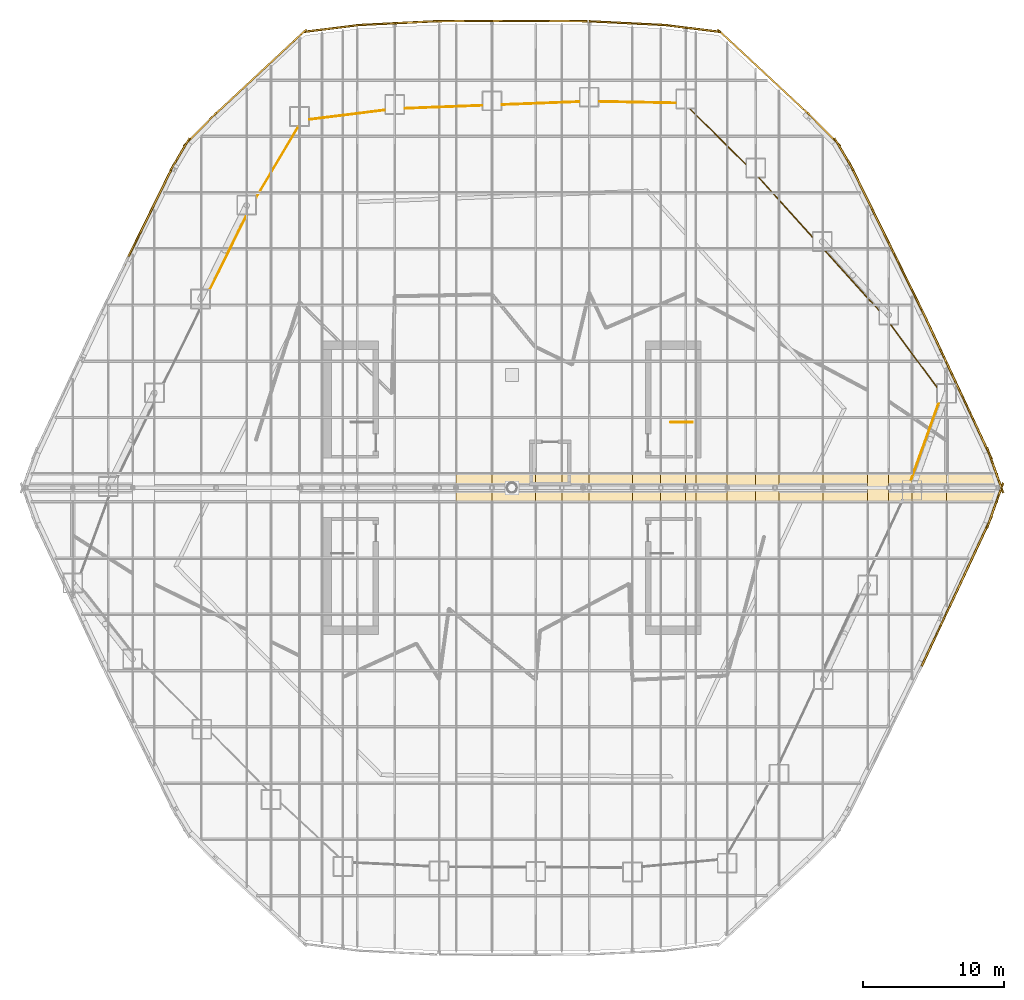
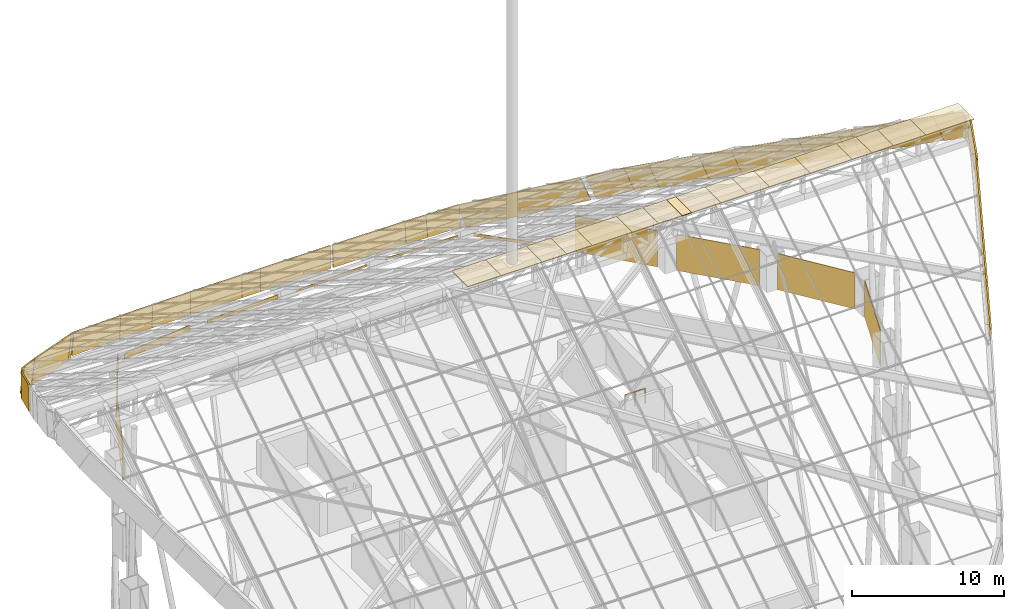
# One storey, part 38 of 38: 55 coverings, 1 railing.
"""IFC4 building model written with IfcOpenShell, lengths in metres."""

from ifc_helpers import new_model, si_unit, direction, frame, origin, origin_2d, place, context, subcontext, project, spatial, polyline, rectangle, circle, outline, extrude, material, layer, layer_set, material_profile, profile_set, type_object, element, save


model = new_model("IFC4")

# Units and contexts
model_context = context("Model", 3, precision=1e-05, world=origin(), true_north=direction((0.0, 1.0)))
body_context = subcontext(model_context, "Body", "Model", "MODEL_VIEW")
ifc_project = project(units=[si_unit("LENGTHUNIT", "METRE"), si_unit("AREAUNIT", "SQUARE_METRE"), si_unit("VOLUMEUNIT", "CUBIC_METRE"), si_unit("PLANEANGLEUNIT", "RADIAN"), si_unit("MASSUNIT", "GRAM", prefix="KILO")], contexts=[model_context])

# Site, building, storey
site_placement = place(None, origin())
site = spatial("IfcSite", under=ifc_project, at=site_placement, CompositionType="ELEMENT")
building_placement = place(site_placement, origin())
building = spatial("IfcBuilding", under=site, at=building_placement, Name="Dongbaek Canopy Tower", CompositionType="ELEMENT")
storey_placement = place(building_placement, frame((0.0, 0.0, 375.800048828125)))
storey = spatial("IfcBuildingStorey", under=building, at=storey_placement, Name="Roof", CompositionType="ELEMENT", Elevation=375.800048828125)

# Coverings
ifc_material_1 = material(Name="Perforated pale metal")
ifc_layer_1 = layer(ifc_material_1, 0.06005859375)
ifc_layer_set_1 = layer_set([ifc_layer_1], Name="Crown plant screen")
covering_type_1 = type_object("IfcCoveringType", Name="Crown plant screen", PredefinedType="CLADDING", material=ifc_layer_set_1)
covering_1_placement = place(storey_placement, origin())
element("IfcCovering", 1, at=covering_1_placement, inside=storey, type_object=covering_type_1, Name="Crown plant screen 13 Roof", PredefinedType="CLADDING", context=body_context, shape_type="SweptSolid", body=[
    extrude(outline(polyline([(28.314453125, 0.530029296875), (28.250732421875, 0.530029296875), (30.20458984375, 5.998046875), (30.268310546875, 5.998046875), (28.314453125, 0.530029296875)])), origin(), (0.0, 0.0, 1.0), 2.89990234375),
])
covering_2_placement = place(storey_placement, origin())
element("IfcCovering", 2, at=covering_2_placement, inside=storey, type_object=covering_type_1, Name="Crown plant screen 14 Roof", PredefinedType="CLADDING", context=body_context, shape_type="SweptSolid", body=[
    extrude(outline(polyline([(30.10498046875, 7.19189453125), (30.10498046875, 7.0908203125), (26.809326171875, 11.556884765625), (26.884033203125, 11.556884765625), (30.10498046875, 7.19189453125)])), origin(), (0.0, 0.0, 1.0), 2.89990234375),
])
covering_3_placement = place(storey_placement, origin())
element("IfcCovering", 3, at=covering_3_placement, inside=storey, type_object=covering_type_1, Name="Crown plant screen 15 Roof", PredefinedType="CLADDING", context=body_context, shape_type="SweptSolid", body=[
    extrude(outline(polyline([(26.0029296875, 12.627685546875), (26.0029296875, 12.538330078125), (22.1787109375, 16.761962890625), (22.259521484375, 16.761962890625), (26.0029296875, 12.627685546875)])), origin(), (0.0, 0.0, 1.0), 2.89990234375),
])
covering_4_placement = place(storey_placement, origin())
element("IfcCovering", 4, at=covering_4_placement, inside=storey, type_object=covering_type_1, Name="Crown plant screen 16 Roof", PredefinedType="CLADDING", context=body_context, shape_type="SweptSolid", body=[
    extrude(outline(polyline([(21.2900390625, 17.83251953125), (21.2900390625, 17.7431640625), (17.46484375, 21.966064453125), (17.5458984375, 21.966064453125), (21.2900390625, 17.83251953125)])), origin(), (0.0, 0.0, 1.0), 2.89990234375),
])
covering_5_placement = place(storey_placement, origin())
element("IfcCovering", 5, at=covering_5_placement, inside=storey, type_object=covering_type_1, Name="Crown plant screen 17 Roof", PredefinedType="CLADDING", context=body_context, shape_type="SweptSolid", body=[
    extrude(outline(polyline([(16.575927734375, 22.9775390625), (16.575927734375, 22.893310546875), (12.553466796875, 26.863037109375), (12.638916015625, 26.863037109375), (16.575927734375, 22.9775390625)])), origin(), (0.0, 0.0, 1.0), 0.228759765625),
])
covering_6_placement = place(storey_placement, origin())
element("IfcCovering", 6, at=covering_6_placement, inside=storey, type_object=covering_type_1, Name="Crown plant screen 18 Roof", PredefinedType="CLADDING", context=body_context, shape_type="SweptSolid", body=[
    extrude(outline(polyline([(11.614013671875, 27.30615234375), (11.614013671875, 27.24609375), (6.1708984375, 27.3486328125), (6.1708984375, 27.40869140625), (11.614013671875, 27.30615234375)])), origin(), (0.0, 0.0, 1.0), 0.14794921875),
])
covering_7_placement = place(storey_placement, origin())
element("IfcCovering", 7, at=covering_7_placement, inside=storey, type_object=covering_type_1, Name="Crown plant screen 19 Roof", PredefinedType="CLADDING", context=body_context, shape_type="SweptSolid", body=[
    extrude(outline(polyline([(4.77099609375, 27.39501953125), (4.77099609375, 27.3349609375), (-0.718017578125, 27.12451171875), (-0.718017578125, 27.1845703125), (4.77099609375, 27.39501953125)])), origin(), (0.0, 0.0, 1.0), 0.14794921875),
])
covering_8_placement = place(storey_placement, origin())
element("IfcCovering", 8, at=covering_8_placement, inside=storey, type_object=covering_type_1, Name="Crown plant screen 20 Roof", PredefinedType="CLADDING", context=body_context, shape_type="SweptSolid", body=[
    extrude(outline(polyline([(-2.117919921875, 27.131103515625), (-2.117919921875, 27.07080078125), (-7.60888671875, 26.860595703125), (-7.60888671875, 26.920654296875), (-2.117919921875, 27.131103515625)])), origin(), (0.0, 0.0, 1.0), 0.31298828125),
])
covering_9_placement = place(storey_placement, origin())
element("IfcCovering", 9, at=covering_9_placement, inside=storey, type_object=covering_type_1, Name="Crown plant screen 21 Roof", PredefinedType="CLADDING", context=body_context, shape_type="SweptSolid", body=[
    extrude(outline(polyline([(-9.009033203125, 26.804443359375), (-9.009033203125, 26.744140625), (-14.362060546875, 26.07568359375), (-14.362060546875, 26.13623046875), (-9.009033203125, 26.804443359375)])), origin(), (0.0, 0.0, 1.0), 0.47802734375),
])
covering_10_placement = place(storey_placement, origin())
element("IfcCovering", 10, at=covering_10_placement, inside=storey, type_object=covering_type_1, Name="Crown plant screen 22 Roof", PredefinedType="CLADDING", context=body_context, shape_type="SweptSolid", body=[
    extrude(outline(polyline([(-15.16455078125, 25.62109375), (-15.0947265625, 25.62109375), (-18.10595703125, 20.562744140625), (-18.10595703125, 20.679931640625), (-15.16455078125, 25.62109375)])), origin(), (0.0, 0.0, 1.0), 1.004638671875),
])
covering_11_placement = place(storey_placement, origin())
element("IfcCovering", 11, at=covering_11_placement, inside=storey, type_object=covering_type_1, Name="Crown plant screen 23 Roof", PredefinedType="CLADDING", context=body_context, shape_type="SweptSolid", body=[
    extrude(outline(polyline([(-18.849365234375, 19.33203125), (-18.78271484375, 19.33203125), (-21.3759765625, 14.0595703125), (-21.3759765625, 14.083984375), (-21.430908203125, 14.083984375), (-18.849365234375, 19.33203125)])), origin(), (0.0, 0.0, 1.0), 2.89990234375),
])
ifc_material_2 = material(Name="Pale metal cladding")
ifc_material_profile = material_profile(ifc_material_2, rectangle(XDim=0.1201171875, YDim=1.800048828125, at=origin_2d()), Name="Eaves fascia 120 x 1800")
ifc_profile_set = profile_set([ifc_material_profile], Name="Pale metal cladding")
covering_type_2 = type_object("IfcCoveringType", Name="Eaves fascia 120 x 1800", PredefinedType="CLADDING", material=ifc_profile_set)
covering_12_placement = place(storey_placement, frame((29.225341796875, -12.23974609375, 9.925048828125), z_axis=(0.369152728155, 0.788159964004, 0.492473486025), x_axis=(-0.905590150499, 0.424153839213, 0.0)))
element("IfcCovering", 12, at=covering_12_placement, inside=storey, type_object=covering_type_2, Name="Eaves fascia 28", PredefinedType="CLADDING", context=body_context, shape_type="SweptSolid", body=[
    extrude(rectangle(XDim=0.1201171875, YDim=1.800048828125, at=origin_2d()), origin(), (0.0, 0.0, 1.0), 3.618896484375),
])
covering_13_placement = place(storey_placement, frame((30.561279296875, -9.387451171875, 11.707275390625), z_axis=(0.368998805212, 0.788206234119, 0.492514785816), x_axis=(-0.905667634231, 0.423988368126, 0.0)))
element("IfcCovering", 13, at=covering_13_placement, inside=storey, type_object=covering_type_2, Name="Eaves fascia 29", PredefinedType="CLADDING", context=body_context, shape_type="SweptSolid", body=[
    extrude(rectangle(XDim=0.1201171875, YDim=1.800048828125, at=origin_2d()), origin(), (0.0, 0.0, 1.0), 8.825439453125),
])
for number, where, z_axis, x_axis, name in (
    (14, (33.825439453125, -2.412841796875, 16.0439453125), (0.28999238228, 0.811606451458, 0.507148288148), (-0.941693046542, 0.336473187779, 0.0), "Eaves fascia 30"),
    (15, (34.662353515625, 0.070556640625, 17.507568359375), (-0.28999238228, 0.811606451458, -0.507148288148), (-0.941693046542, -0.336473187779, 0.0), "Eaves fascia 31"),
):
    element("IfcCovering", number, at=place(storey_placement, frame(where, z_axis=z_axis, x_axis=x_axis)), inside=storey, type_object=covering_type_2, Name=name, PredefinedType="CLADDING", context=body_context, shape_type="SweptSolid", body=[
        extrude(rectangle(XDim=0.1201171875, YDim=1.800048828125, at=origin_2d()), origin(), (0.0, 0.0, 1.0), 2.885986328125),
    ])
covering_14_placement = place(storey_placement, frame((33.81787109375, 2.43115234375, 16.053955078125), z_axis=(-0.369011068076, 0.788193853762, -0.492525411049), x_axis=(-0.905659666207, -0.424005387945, 0.0)))
element("IfcCovering", 16, at=covering_14_placement, inside=storey, type_object=covering_type_2, Name="Eaves fascia 32", PredefinedType="CLADDING", context=body_context, shape_type="SweptSolid", body=[
    extrude(rectangle(XDim=0.1201171875, YDim=1.800048828125, at=origin_2d()), origin(), (0.0, 0.0, 1.0), 7.6494140625),
])
covering_15_placement = place(storey_placement, frame((30.9951171875, 8.46044921875, 12.286376953125), z_axis=(-0.368873112046, 0.788302437419, -0.492454966844), x_axis=(-0.905742946236, -0.423827459403, 0.0)))
element("IfcCovering", 17, at=covering_15_placement, inside=storey, type_object=covering_type_2, Name="Eaves fascia 33", PredefinedType="CLADDING", context=body_context, shape_type="SweptSolid", body=[
    extrude(rectangle(XDim=0.1201171875, YDim=1.800048828125, at=origin_2d()), origin(), (0.0, 0.0, 1.0), 1.173583984375),
])
covering_16_placement = place(storey_placement, frame((30.562255859375, 9.385498046875, 11.70849609375), z_axis=(-0.369167445201, 0.788154967466, -0.492470450547), x_axis=(-0.905582622322, -0.424169911884, 0.0)))
element("IfcCovering", 18, at=covering_16_placement, inside=storey, type_object=covering_type_2, Name="Eaves fascia 34", PredefinedType="CLADDING", context=body_context, shape_type="SweptSolid", body=[
    extrude(rectangle(XDim=0.1201171875, YDim=1.800048828125, at=origin_2d()), origin(), (0.0, 0.0, 1.0), 3.621337890625),
])
covering_17_placement = place(storey_placement, frame((29.2236328125, 12.243408203125, 9.92724609375), z_axis=(-0.385009345913, 0.782673662475, -0.489070282911), x_axis=(-0.897310066372, -0.441400775698, 0.0)))
element("IfcCovering", 19, at=covering_17_placement, inside=storey, type_object=covering_type_2, Name="Eaves fascia 35", PredefinedType="CLADDING", context=body_context, shape_type="SweptSolid", body=[
    extrude(rectangle(XDim=0.1201171875, YDim=1.800048828125, at=origin_2d()), origin(), (0.0, 0.0, 1.0), 6.0576171875),
])
covering_18_placement = place(storey_placement, frame((26.891357421875, 16.984619140625, 6.964599609375), z_axis=(-0.384977628431, 0.782681111501, -0.489083329614), x_axis=(-0.897326132256, -0.441368114355, 0.0)))
element("IfcCovering", 20, at=covering_18_placement, inside=storey, type_object=covering_type_2, Name="Eaves fascia 36", PredefinedType="CLADDING", context=body_context, shape_type="SweptSolid", body=[
    extrude(rectangle(XDim=0.1201171875, YDim=1.800048828125, at=origin_2d()), origin(), (0.0, 0.0, 1.0), 2.9736328125),
])
covering_19_placement = place(storey_placement, frame((25.74658203125, 19.31201171875, 5.51025390625), z_axis=(-0.385037137413, 0.782676276936, -0.489044219201), x_axis=(-0.897298030525, -0.441425242161, 0.0)))
element("IfcCovering", 21, at=covering_19_placement, inside=storey, type_object=covering_type_2, Name="Eaves fascia 37", PredefinedType="CLADDING", context=body_context, shape_type="SweptSolid", body=[
    extrude(rectangle(XDim=0.1201171875, YDim=1.800048828125, at=origin_2d()), origin(), (0.0, 0.0, 1.0), 4.513916015625),
])
covering_20_placement = place(storey_placement, frame((24.000732421875, 22.859619140625, 3.31298828125), z_axis=(-0.450707195085, 0.757070255796, -0.472977432959), x_axis=(-0.85925789479, -0.511542637754, 0.0)))
element("IfcCovering", 22, at=covering_20_placement, inside=storey, type_object=covering_type_2, Name="Eaves fascia 38", PredefinedType="CLADDING", context=body_context, shape_type="SweptSolid", body=[
    extrude(rectangle(XDim=0.1201171875, YDim=1.800048828125, at=origin_2d()), origin(), (0.0, 0.0, 1.0), 2.072021484375),
])
covering_21_placement = place(storey_placement, frame((23.0361328125, 24.468017578125, 2.369384765625), z_axis=(-0.641028209755, 0.650867804539, -0.406760292202), x_axis=(-0.712471723396, -0.701700821833, 0.0)))
element("IfcCovering", 23, at=covering_21_placement, inside=storey, type_object=covering_type_2, Name="Eaves fascia 39", PredefinedType="CLADDING", context=body_context, shape_type="SweptSolid", body=[
    extrude(rectangle(XDim=0.1201171875, YDim=1.800048828125, at=origin_2d()), origin(), (0.0, 0.0, 1.0), 2.853271484375),
])
covering_22_placement = place(storey_placement, frame((20.938232421875, 26.5751953125, 1.063720703125), z_axis=(-0.673800609226, 0.626631878904, -0.391567653603), x_axis=(-0.68101107582, -0.732273114767, 0.0)))
element("IfcCovering", 24, at=covering_22_placement, inside=storey, type_object=covering_type_2, Name="Eaves fascia 41", PredefinedType="CLADDING", context=body_context, shape_type="SweptSolid", body=[
    extrude(rectangle(XDim=0.1201171875, YDim=1.800048828125, at=origin_2d()), origin(), (0.0, 0.0, 1.0), 9.083740234375),
])
covering_23_placement = place(storey_placement, frame((14.70068359375, 32.322021484375, -2.417724609375), z_axis=(-0.989333028029, 0.123500358344, -0.077251674026), x_axis=(-0.123870530034, -0.992298388485, 0.0)))
element("IfcCovering", 25, at=covering_23_placement, inside=storey, type_object=covering_type_2, Name="Eaves fascia 42", PredefinedType="CLADDING", context=body_context, shape_type="SweptSolid", body=[
    extrude(rectangle(XDim=0.1201171875, YDim=1.800048828125, at=origin_2d()), origin(), (0.0, 0.0, 1.0), 2.385986328125),
])
covering_24_placement = place(storey_placement, frame((12.340087890625, 32.61669921875, -2.60205078125), z_axis=(-0.989339025746, 0.123566819283, -0.077068367756), x_axis=(-0.123935426735, -0.992290285148, 0.0)))
element("IfcCovering", 26, at=covering_24_placement, inside=storey, type_object=covering_type_2, Name="Eaves fascia 43", PredefinedType="CLADDING", context=body_context, shape_type="SweptSolid", body=[
    extrude(rectangle(XDim=0.1201171875, YDim=1.800048828125, at=origin_2d()), origin(), (0.0, 0.0, 1.0), 1.517333984375),
])
covering_25_placement = place(storey_placement, frame((10.8232421875, 32.805419921875, -2.716796875), z_axis=(-0.998316103384, 0.049185775112, -0.030752516165), x_axis=(-0.049209049539, -0.998788500857, 0.0)))
element("IfcCovering", 27, at=covering_25_placement, inside=storey, type_object=covering_type_2, Name="Eaves fascia 44", PredefinedType="CLADDING", context=body_context, shape_type="SweptSolid", body=[
    extrude(rectangle(XDim=0.1201171875, YDim=1.800048828125, at=origin_2d()), origin(), (0.0, 0.0, 1.0), 5.350830078125),
])
covering_26_placement = place(storey_placement, frame((5.31982421875, 33.076416015625, -2.885498046875), z_axis=(-0.999986700426, 0.004360540555, -0.002754025614), x_axis=(-0.004360557092, -0.999990492726, 0.0)))
element("IfcCovering", 28, at=covering_26_placement, inside=storey, type_object=covering_type_2, Name="Eaves fascia 46", PredefinedType="CLADDING", context=body_context, shape_type="SweptSolid", body=[
    extrude(rectangle(XDim=0.1201171875, YDim=1.800048828125, at=origin_2d()), origin(), (0.0, 0.0, 1.0), 5.31884765625),
])
covering_27_placement = place(storey_placement, frame((-0.0009765625, 33.099609375, -2.900146484375), z_axis=(-0.999986941774, -0.004304351506, 0.002754784964), x_axis=(0.004304367838, -0.999990736166, 0.0)))
element("IfcCovering", 29, at=covering_27_placement, inside=storey, type_object=covering_type_2, Name="Eaves fascia 47", PredefinedType="CLADDING", context=body_context, shape_type="SweptSolid", body=[
    extrude(rectangle(XDim=0.1201171875, YDim=1.800048828125, at=origin_2d()), origin(), (0.0, 0.0, 1.0), 1.41796875),
])
covering_28_placement = place(storey_placement, frame((-1.4189453125, 33.093505859375, -2.896240234375), z_axis=(-0.999986611914, -0.004380965254, 0.002753749588), x_axis=(0.004380981865, -0.999990403453, 0.0)))
element("IfcCovering", 30, at=covering_28_placement, inside=storey, type_object=covering_type_2, Name="Eaves fascia 48", PredefinedType="CLADDING", context=body_context, shape_type="SweptSolid", body=[
    extrude(rectangle(XDim=0.1201171875, YDim=1.800048828125, at=origin_2d()), origin(), (0.0, 0.0, 1.0), 3.90087890625),
])
covering_29_placement = place(storey_placement, frame((-5.3291015625, 33.076171875, -2.885986328125), z_axis=(-0.998314605873, -0.049231059924, 0.030728658264), x_axis=(0.049254319622, -0.998786269428, 0.0)))
element("IfcCovering", 31, at=covering_29_placement, inside=storey, type_object=covering_type_2, Name="Eaves fascia 49", PredefinedType="CLADDING", context=body_context, shape_type="SweptSolid", body=[
    extrude(rectangle(XDim=0.1201171875, YDim=1.800048828125, at=origin_2d()), origin(), (0.0, 0.0, 1.0), 2.995361328125),
])
covering_30_placement = place(storey_placement, frame((-8.3193359375, 32.9287109375, -2.7939453125), z_axis=(-0.998317327922, -0.049156615698, 0.030759387249), x_axis=(0.049179886731, -0.998789937245, 0.0)))
element("IfcCovering", 32, at=covering_30_placement, inside=storey, type_object=covering_type_2, Name="Eaves fascia 50", PredefinedType="CLADDING", context=body_context, shape_type="SweptSolid", body=[
    extrude(rectangle(XDim=0.1201171875, YDim=1.800048828125, at=origin_2d()), origin(), (0.0, 0.0, 1.0), 2.508056640625),
])
covering_31_placement = place(storey_placement, frame((-10.8388671875, 32.80419921875, -2.718994140625), z_axis=(-0.989335364012, -0.123526194457, 0.077180417195), x_axis=(0.1238957578, -0.992295238928, 0.0)))
element("IfcCovering", 33, at=covering_31_placement, inside=storey, type_object=covering_type_2, Name="Eaves fascia 51", PredefinedType="CLADDING", context=body_context, shape_type="SweptSolid", body=[
    extrude(rectangle(XDim=0.1201171875, YDim=1.800048828125, at=origin_2d()), origin(), (0.0, 0.0, 1.0), 3.903564453125),
])
covering_32_placement = place(storey_placement, frame((-14.817626953125, 32.267333984375, -2.4931640625), z_axis=(-0.673991512472, -0.626425633835, 0.391569108065), x_axis=(0.680787390713, -0.73248107733, 0.0)))
element("IfcCovering", 34, at=covering_32_placement, inside=storey, type_object=covering_type_2, Name="Eaves fascia 52", PredefinedType="CLADDING", context=body_context, shape_type="SweptSolid", body=[
    extrude(rectangle(XDim=0.1201171875, YDim=1.800048828125, at=origin_2d()), origin(), (0.0, 0.0, 1.0), 0.574951171875),
])
covering_33_placement = place(storey_placement, frame((-15.205078125, 31.9072265625, -2.26806640625), z_axis=(-0.673802556661, -0.626634182541, 0.39156061588), x_axis=(0.681011362845, -0.732272847835, 0.0)))
element("IfcCovering", 35, at=covering_33_placement, inside=storey, type_object=covering_type_2, Name="Eaves fascia 53", PredefinedType="CLADDING", context=body_context, shape_type="SweptSolid", body=[
    extrude(rectangle(XDim=0.1201171875, YDim=1.800048828125, at=origin_2d()), origin(), (0.0, 0.0, 1.0), 8.8974609375),
])
covering_34_placement = place(storey_placement, frame((-21.20703125, 26.3251953125, 1.208740234375), z_axis=(-0.641028209755, -0.650867804539, 0.406760292202), x_axis=(0.712471723396, -0.701700821833, 0.0)))
element("IfcCovering", 36, at=covering_34_placement, inside=storey, type_object=covering_type_2, Name="Eaves fascia 54", PredefinedType="CLADDING", context=body_context, shape_type="SweptSolid", body=[
    extrude(rectangle(XDim=0.1201171875, YDim=1.800048828125, at=origin_2d()), origin(), (0.0, 0.0, 1.0), 2.853271484375),
])
covering_35_placement = place(storey_placement, frame((-23.06689453125, 24.42822265625, 2.3330078125), z_axis=(-0.450707195085, -0.757070255796, 0.472977432959), x_axis=(0.85925789479, -0.511542637754, 0.0)))
element("IfcCovering", 37, at=covering_35_placement, inside=storey, type_object=covering_type_2, Name="Eaves fascia 55", PredefinedType="CLADDING", context=body_context, shape_type="SweptSolid", body=[
    extrude(rectangle(XDim=0.1201171875, YDim=1.800048828125, at=origin_2d()), origin(), (0.0, 0.0, 1.0), 2.072021484375),
])
covering_36_placement = place(storey_placement, frame((-24.112060546875, 22.634765625, 3.43408203125), z_axis=(-0.385004779643, -0.782681769268, 0.489060903884), x_axis=(0.897313950618, -0.441392879447, 0.0)))
element("IfcCovering", 38, at=covering_36_placement, inside=storey, type_object=covering_type_2, Name="Eaves fascia 57", PredefinedType="CLADDING", context=body_context, shape_type="SweptSolid", body=[
    extrude(rectangle(XDim=0.1201171875, YDim=1.800048828125, at=origin_2d()), origin(), (0.0, 0.0, 1.0), 8.47705078125),
])
ifc_material_3 = material(Name="Pale metal cladding")
ifc_layer_2 = layer(ifc_material_3, 0.06005859375)
ifc_layer_set_2 = layer_set([ifc_layer_2], Name="Ridge cap 2100")
covering_type_3 = type_object("IfcCoveringType", Name="Ridge cap 2100", PredefinedType="USERDEFINED", material=ifc_layer_set_2)
covering_37_placement = place(storey_placement, frame((-2.69140625, 0.0, 18.601806640625), z_axis=(0.0, 0.0, 1.0), x_axis=(1.0, 0.0, 0.0)))
element("IfcCovering", 39, at=covering_37_placement, inside=storey, type_object=covering_type_3, Name="Ridge cap 15", ObjectType="RIDGE CAP", PredefinedType="USERDEFINED", context=body_context, shape_type="SweptSolid", body=[
    extrude(rectangle(XDim=2.546630859375, YDim=2.10009765625, at=origin_2d()), origin(), (0.0, 0.0, 1.0), 0.06005859375),
])
covering_38_placement = place(storey_placement, frame((0.132568359375, 0.0, 18.601806640625), z_axis=(0.0, 0.0, 1.0), x_axis=(1.0, 0.0, 0.0)))
element("IfcCovering", 40, at=covering_38_placement, inside=storey, type_object=covering_type_3, Name="Ridge cap 16", ObjectType="RIDGE CAP", PredefinedType="USERDEFINED", context=body_context, shape_type="SweptSolid", body=[
    extrude(rectangle(XDim=3.10107421875, YDim=2.10009765625, at=origin_2d()), origin(), (0.0, 0.0, 1.0), 0.06005859375),
])
covering_39_placement = place(storey_placement, frame((2.609130859375, 0.0, 18.601806640625), z_axis=(0.0, 0.0, 1.0), x_axis=(1.0, 0.0, 0.0)))
element("IfcCovering", 41, at=covering_39_placement, inside=storey, type_object=covering_type_3, Name="Ridge cap 17", ObjectType="RIDGE CAP", PredefinedType="USERDEFINED", context=body_context, shape_type="SweptSolid", body=[
    extrude(rectangle(XDim=1.852294921875, YDim=2.10009765625, at=origin_2d()), origin(), (0.0, 0.0, 1.0), 0.06005859375),
])
covering_40_placement = place(storey_placement, frame((4.503173828125, 0.0, 18.601806640625), z_axis=(0.0, 0.0, 1.0), x_axis=(1.0, 0.0, 0.0)))
element("IfcCovering", 42, at=covering_40_placement, inside=storey, type_object=covering_type_3, Name="Ridge cap 18", ObjectType="RIDGE CAP", PredefinedType="USERDEFINED", context=body_context, shape_type="SweptSolid", body=[
    extrude(rectangle(XDim=1.935791015625, YDim=2.10009765625, at=origin_2d()), origin(), (0.0, 0.0, 1.0), 0.06005859375),
])
covering_41_placement = place(storey_placement, frame((7.00244140625, 0.0, 18.601806640625), z_axis=(0.0, 0.0, 1.0), x_axis=(1.0, 0.0, 0.0)))
element("IfcCovering", 43, at=covering_41_placement, inside=storey, type_object=covering_type_3, Name="Ridge cap 19", ObjectType="RIDGE CAP", PredefinedType="USERDEFINED", context=body_context, shape_type="SweptSolid", body=[
    extrude(rectangle(XDim=3.06298828125, YDim=2.10009765625, at=origin_2d()), origin(), (0.0, 0.0, 1.0), 0.06005859375),
])
covering_42_placement = place(storey_placement, frame((9.53466796875, 0.0, 18.601806640625), z_axis=(0.0, 0.0, 1.0), x_axis=(1.0, 0.0, 0.0)))
element("IfcCovering", 44, at=covering_42_placement, inside=storey, type_object=covering_type_3, Name="Ridge cap 20", ObjectType="RIDGE CAP", PredefinedType="USERDEFINED", context=body_context, shape_type="SweptSolid", body=[
    extrude(rectangle(XDim=2.001220703125, YDim=2.10009765625, at=origin_2d()), origin(), (0.0, 0.0, 1.0), 0.06005859375),
])
covering_43_placement = place(storey_placement, frame((11.424560546875, 0.0, 18.601806640625), z_axis=(0.0, 0.0, 1.0), x_axis=(1.0, 0.0, 0.0)))
element("IfcCovering", 45, at=covering_43_placement, inside=storey, type_object=covering_type_3, Name="Ridge cap 21", ObjectType="RIDGE CAP", PredefinedType="USERDEFINED", context=body_context, shape_type="SweptSolid", body=[
    extrude(rectangle(XDim=1.77880859375, YDim=2.10009765625, at=origin_2d()), origin(), (0.0, 0.0, 1.0), 0.06005859375),
])
covering_44_placement = place(storey_placement, frame((12.674560546875, 0.0, 18.601806640625), z_axis=(0.0, 0.0, 1.0), x_axis=(1.0, 0.0, 0.0)))
element("IfcCovering", 46, at=covering_44_placement, inside=storey, type_object=covering_type_3, Name="Ridge cap 22", ObjectType="RIDGE CAP", PredefinedType="USERDEFINED", context=body_context, shape_type="SweptSolid", body=[
    extrude(rectangle(XDim=0.72119140625, YDim=2.10009765625, at=origin_2d()), origin(), (0.0, 0.0, 1.0), 0.06005859375),
])
covering_45_placement = place(storey_placement, frame((14.1435546875, 0.0, 18.601806640625), z_axis=(0.0, 0.0, 1.0), x_axis=(1.0, 0.0, 0.0)))
element("IfcCovering", 47, at=covering_45_placement, inside=storey, type_object=covering_type_3, Name="Ridge cap 23", ObjectType="RIDGE CAP", PredefinedType="USERDEFINED", context=body_context, shape_type="SweptSolid", body=[
    extrude(rectangle(XDim=2.216796875, YDim=2.10009765625, at=origin_2d()), origin(), (0.0, 0.0, 1.0), 0.06005859375),
])
covering_46_placement = place(storey_placement, frame((16.263916015625, 0.0, 18.601806640625), z_axis=(0.0, 0.0, 1.0), x_axis=(1.0, 0.0, 0.0)))
element("IfcCovering", 48, at=covering_46_placement, inside=storey, type_object=covering_type_3, Name="Ridge cap 24", ObjectType="RIDGE CAP", PredefinedType="USERDEFINED", context=body_context, shape_type="SweptSolid", body=[
    extrude(rectangle(XDim=2.02392578125, YDim=2.10009765625, at=origin_2d()), origin(), (0.0, 0.0, 1.0), 0.06005859375),
])
covering_47_placement = place(storey_placement, frame((18.1005859375, 0.0, 18.601806640625), z_axis=(0.0, 0.0, 1.0), x_axis=(1.0, 0.0, 0.0)))
element("IfcCovering", 49, at=covering_47_placement, inside=storey, type_object=covering_type_3, Name="Ridge cap 25", ObjectType="RIDGE CAP", PredefinedType="USERDEFINED", context=body_context, shape_type="SweptSolid", body=[
    extrude(rectangle(XDim=1.64892578125, YDim=2.10009765625, at=origin_2d()), origin(), (0.0, 0.0, 1.0), 0.06005859375),
])
covering_48_placement = place(storey_placement, frame((20.480224609375, 0.0, 18.601806640625), z_axis=(0.0, 0.0, 1.0), x_axis=(1.0, 0.0, 0.0)))
element("IfcCovering", 50, at=covering_48_placement, inside=storey, type_object=covering_type_3, Name="Ridge cap 26", ObjectType="RIDGE CAP", PredefinedType="USERDEFINED", context=body_context, shape_type="SweptSolid", body=[
    extrude(rectangle(XDim=3.1103515625, YDim=2.10009765625, at=origin_2d()), origin(), (0.0, 0.0, 1.0), 0.06005859375),
])
covering_49_placement = place(storey_placement, frame((23.62255859375, 0.0, 18.601806640625), z_axis=(0.0, 0.0, 1.0), x_axis=(1.0, 0.0, 0.0)))
element("IfcCovering", 51, at=covering_49_placement, inside=storey, type_object=covering_type_3, Name="Ridge cap 27", ObjectType="RIDGE CAP", PredefinedType="USERDEFINED", context=body_context, shape_type="SweptSolid", body=[
    extrude(rectangle(XDim=3.1748046875, YDim=2.10009765625, at=origin_2d()), origin(), (0.0, 0.0, 1.0), 0.06005859375),
])
covering_50_placement = place(storey_placement, frame((25.95654296875, 0.0, 18.601806640625), z_axis=(0.0, 0.0, 1.0), x_axis=(1.0, 0.0, 0.0)))
element("IfcCovering", 52, at=covering_50_placement, inside=storey, type_object=covering_type_3, Name="Ridge cap 28", ObjectType="RIDGE CAP", PredefinedType="USERDEFINED", context=body_context, shape_type="SweptSolid", body=[
    extrude(rectangle(XDim=1.492919921875, YDim=2.10009765625, at=origin_2d()), origin(), (0.0, 0.0, 1.0), 0.06005859375),
])
covering_51_placement = place(storey_placement, frame((27.527099609375, 0.0, 18.601806640625), z_axis=(0.0, 0.0, 1.0), x_axis=(1.0, 0.0, 0.0)))
element("IfcCovering", 53, at=covering_51_placement, inside=storey, type_object=covering_type_3, Name="Ridge cap 29", ObjectType="RIDGE CAP", PredefinedType="USERDEFINED", context=body_context, shape_type="SweptSolid", body=[
    extrude(rectangle(XDim=1.64794921875, YDim=2.10009765625, at=origin_2d()), origin(), (0.0, 0.0, 1.0), 0.06005859375),
])
covering_52_placement = place(storey_placement, frame((29.577880859375, 0.0, 18.601806640625), z_axis=(0.0, 0.0, 1.0), x_axis=(1.0, 0.0, 0.0)))
element("IfcCovering", 54, at=covering_52_placement, inside=storey, type_object=covering_type_3, Name="Ridge cap 30", ObjectType="RIDGE CAP", PredefinedType="USERDEFINED", context=body_context, shape_type="SweptSolid", body=[
    extrude(rectangle(XDim=2.4541015625, YDim=2.10009765625, at=origin_2d()), origin(), (0.0, 0.0, 1.0), 0.06005859375),
])
covering_53_placement = place(storey_placement, frame((32.634765625, 0.0, 18.601806640625), z_axis=(0.0, 0.0, 1.0), x_axis=(1.0, 0.0, 0.0)))
element("IfcCovering", 55, at=covering_53_placement, inside=storey, type_object=covering_type_3, Name="Ridge cap 31", ObjectType="RIDGE CAP", PredefinedType="USERDEFINED", context=body_context, shape_type="SweptSolid", body=[
    extrude(rectangle(XDim=3.65966796875, YDim=2.10009765625, at=origin_2d()), origin(), (0.0, 0.0, 1.0), 0.06005859375),
])

# Railing
ifc_material_4 = material(Name="Stainless steel tube and balusters", Category="steel")
railing_type = type_object("IfcRailingType", Name="Stair guard 1200", PredefinedType="GUARDRAIL", material=ifc_material_4)
railing_placement = place(storey_placement, frame((12.800048828125, 4.64990234375, 0.0)))
element("IfcRailing", 56, at=railing_placement, inside=storey, type_object=railing_type, Name="Roof ST-A top well guard 1", PredefinedType="GUARDRAIL", context=body_context, shape_type="SweptSolid", body=[
    extrude(circle(Radius=0.02392578125, at=origin_2d()), frame((0.0, 0.0, 1.17578125), z_axis=(-1.0, 0.0, 0.0), x_axis=(0.0, -1.0, 0.0)), (0.0, 0.0, 1.0), 1.550048828125),
    extrude(circle(Radius=0.02099609375, at=origin_2d()), origin(), (0.0, 0.0, 1.0), 1.15185546875),
    extrude(circle(Radius=0.02099609375, at=origin_2d()), frame((-0.77490234375, 0.0, 0.0)), (0.0, 0.0, 1.0), 1.15185546875),
    extrude(circle(Radius=0.02099609375, at=origin_2d()), frame((-1.550048828125, 0.0, 0.0)), (0.0, 0.0, 1.0), 1.15185546875),
])

save(model, "model.ifc")
